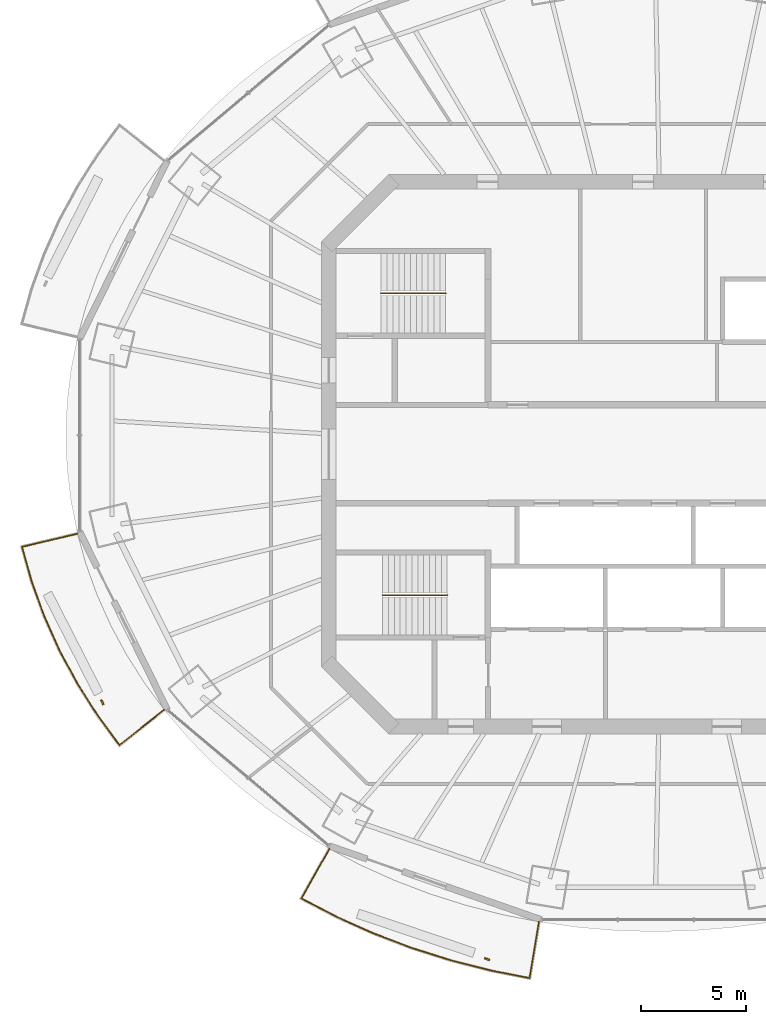
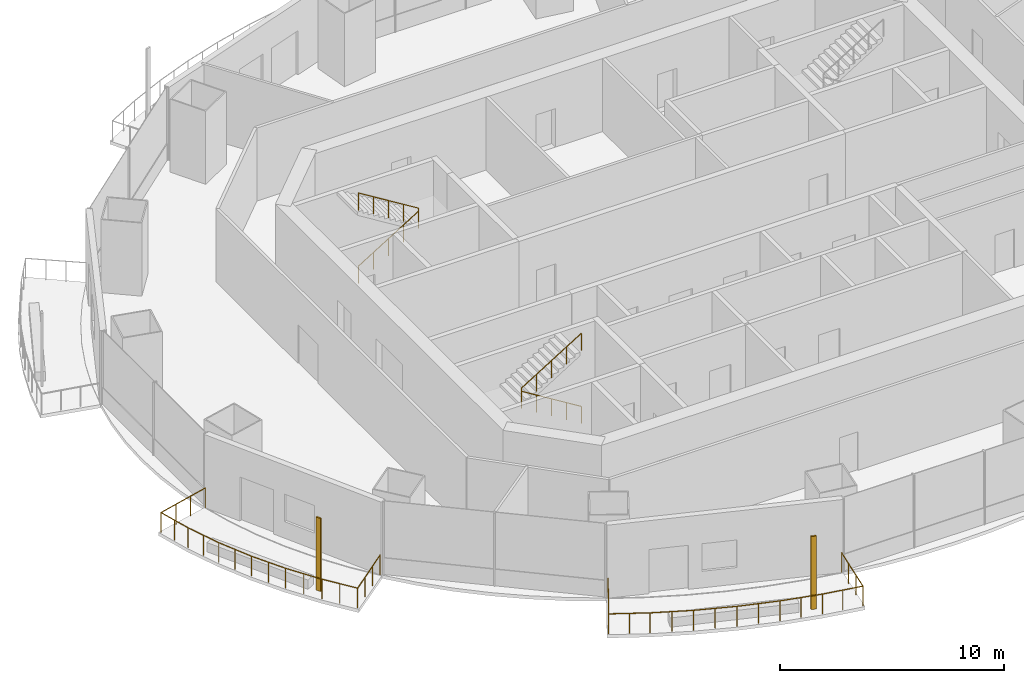
# One storey, part 12 of 16: 4 railings, 2 shading devices.
"""IFC4 building model written with IfcOpenShell, lengths in metres."""

from ifc_helpers import new_model, si_unit, direction, frame, origin, origin_2d, place, context, subcontext, project, spatial, rectangle, circle, extrude, material, material_profile, profile_set, type_object, element, save


model = new_model("IFC4")

# Units and contexts
model_context = context("Model", 3, precision=1e-05, world=origin(), true_north=direction((0.0, 1.0)))
body_context = subcontext(model_context, "Body", "Model", "MODEL_VIEW")
ifc_project = project(units=[si_unit("LENGTHUNIT", "METRE"), si_unit("AREAUNIT", "SQUARE_METRE"), si_unit("VOLUMEUNIT", "CUBIC_METRE"), si_unit("PLANEANGLEUNIT", "RADIAN"), si_unit("MASSUNIT", "GRAM", prefix="KILO")], contexts=[model_context])

# Site, building, storey
site_placement = place(None, origin())
site = spatial("IfcSite", under=ifc_project, at=site_placement, CompositionType="ELEMENT")
building_placement = place(site_placement, origin())
building = spatial("IfcBuilding", under=site, at=building_placement, Name="Marenthal Gate Tower", CompositionType="ELEMENT")
storey_placement = place(building_placement, frame((0.0, 0.0, 309.39990234375)))
storey = spatial("IfcBuildingStorey", under=building, at=storey_placement, Name="L69", CompositionType="ELEMENT", Elevation=309.39990234375)

# Railings
ifc_material_1 = material(Name="Stainless steel", Category="steel")
railing_type_1 = type_object("IfcRailingType", Name="Balcony guard 1100", PredefinedType="GUARDRAIL", material=ifc_material_1)
railing_1_placement = place(storey_placement, frame((-23.85888671875, -12.199951171875, 0.0)))
element("IfcRailing", 1, at=railing_1_placement, inside=storey, type_object=railing_type_1, Name="Balcony guard L69 bay 9", PredefinedType="GUARDRAIL", context=body_context, shape_type="SweptSolid", body=[
    extrude(circle(Radius=0.02392578125, at=origin_2d()), frame((0.0, 0.0, 1.076171875), z_axis=(-0.783370152294, -0.621383312462, -0.014628174456), x_axis=(0.621449806018, -0.783453979886, 0.0)), (0.0, 0.0, 1.0), 2.720458984375),
    extrude(circle(Radius=0.02392578125, at=origin_2d()), frame((-2.131103515625, -1.6904296875, 1.0361328125), z_axis=(-0.592865267426, 0.80530166688, 0.0), x_axis=(-0.80530166688, -0.592865267426, 0.0)), (0.0, 0.0, 1.0), 1.746826171875),
    extrude(circle(Radius=0.02392578125, at=origin_2d()), frame((-3.166748046875, -0.28369140625, 1.0361328125), z_axis=(-0.536204581752, 0.844088056134, 0.0), x_axis=(-0.844088056134, -0.536204581752, 0.0)), (0.0, 0.0, 1.0), 1.8134765625),
    extrude(circle(Radius=0.02392578125, at=origin_2d()), frame((-4.13916015625, 1.2470703125, 1.0361328125), z_axis=(-0.473954337588, 0.880549422736, 0.0), x_axis=(-0.880549422736, -0.473954337588, 0.0)), (0.0, 0.0, 1.0), 1.80126953125),
    extrude(circle(Radius=0.02392578125, at=origin_2d()), frame((-4.992919921875, 2.833251953125, 1.0361328125), z_axis=(-0.408237493427, 0.91287575768, 0.0), x_axis=(-0.91287575768, -0.408237493427, 0.0)), (0.0, 0.0, 1.0), 1.79052734375),
    extrude(circle(Radius=0.02392578125, at=origin_2d()), frame((-5.723876953125, 4.4677734375, 1.0361328125), z_axis=(-0.339078586837, 0.940758051759, 0.0), x_axis=(-0.940758051759, -0.339078586837, 0.0)), (0.0, 0.0, 1.0), 1.78125),
    extrude(circle(Radius=0.02392578125, at=origin_2d()), frame((-6.327880859375, 6.1435546875, 1.0361328125), z_axis=(-0.268699441424, 0.963224070598, 0.0), x_axis=(-0.963224070598, -0.268699441424, 0.0)), (0.0, 0.0, 1.0), 1.693603515625),
    extrude(circle(Radius=0.02392578125, at=origin_2d()), frame((-6.782958984375, 7.77490234375, 1.0361328125), z_axis=(0.973138523141, 0.22975510645, 0.014628938419), x_axis=(-0.229779694864, 0.97324266852, 0.0)), (0.0, 0.0, 1.0), 2.72021484375),
    extrude(circle(Radius=0.02099609375, at=origin_2d()), origin(), (0.0, 0.0, 1.0), 1.052001953125),
    extrude(circle(Radius=0.02099609375, at=origin_2d()), frame((-0.71044921875, -0.5634765625, -0.01318359375)), (0.0, 0.0, 1.0), 1.052001953125),
    extrude(circle(Radius=0.02099609375, at=origin_2d()), frame((-1.420654296875, -1.126953125, -0.026611328125)), (0.0, 0.0, 1.0), 1.052001953125),
    extrude(circle(Radius=0.02099609375, at=origin_2d()), frame((-2.131103515625, -1.6904296875, -0.039794921875)), (0.0, 0.0, 1.0), 1.052001953125),
    extrude(circle(Radius=0.02099609375, at=origin_2d()), frame((-2.64892578125, -0.987060546875, -0.039794921875)), (0.0, 0.0, 1.0), 1.052001953125),
    extrude(circle(Radius=0.02099609375, at=origin_2d()), frame((-3.166748046875, -0.28369140625, -0.039794921875)), (0.0, 0.0, 1.0), 1.052001953125),
    extrude(circle(Radius=0.02099609375, at=origin_2d()), frame((-3.65283203125, 0.481689453125, -0.039794921875)), (0.0, 0.0, 1.0), 1.052001953125),
    extrude(circle(Radius=0.02099609375, at=origin_2d()), frame((-4.13916015625, 1.2470703125, -0.039794921875)), (0.0, 0.0, 1.0), 1.052001953125),
    extrude(circle(Radius=0.02099609375, at=origin_2d()), frame((-4.56591796875, 2.0400390625, -0.039794921875)), (0.0, 0.0, 1.0), 1.052001953125),
    extrude(circle(Radius=0.02099609375, at=origin_2d()), frame((-4.992919921875, 2.833251953125, -0.039794921875)), (0.0, 0.0, 1.0), 1.052001953125),
    extrude(circle(Radius=0.02099609375, at=origin_2d()), frame((-5.3583984375, 3.650390625, -0.039794921875)), (0.0, 0.0, 1.0), 1.052001953125),
    extrude(circle(Radius=0.02099609375, at=origin_2d()), frame((-5.723876953125, 4.4677734375, -0.039794921875)), (0.0, 0.0, 1.0), 1.052001953125),
    extrude(circle(Radius=0.02099609375, at=origin_2d()), frame((-6.02587890625, 5.3056640625, -0.039794921875)), (0.0, 0.0, 1.0), 1.052001953125),
    extrude(circle(Radius=0.02099609375, at=origin_2d()), frame((-6.327880859375, 6.1435546875, -0.039794921875)), (0.0, 0.0, 1.0), 1.052001953125),
    extrude(circle(Radius=0.02099609375, at=origin_2d()), frame((-6.555419921875, 6.959228515625, -0.039794921875)), (0.0, 0.0, 1.0), 1.052001953125),
    extrude(circle(Radius=0.02099609375, at=origin_2d()), frame((-6.782958984375, 7.77490234375, -0.039794921875)), (0.0, 0.0, 1.0), 1.052001953125),
    extrude(circle(Radius=0.02099609375, at=origin_2d()), frame((-5.900634765625, 7.983154296875, -0.026611328125)), (0.0, 0.0, 1.0), 1.052001953125),
    extrude(circle(Radius=0.02099609375, at=origin_2d()), frame((-5.01806640625, 8.191650390625, -0.01318359375)), (0.0, 0.0, 1.0), 1.052001953125),
    extrude(circle(Radius=0.02099609375, at=origin_2d()), frame((-4.1357421875, 8.39990234375, 0.0)), (0.0, 0.0, 1.0), 1.052001953125),
])
railing_2_placement = place(storey_placement, frame((-5.971435546875, -22.323486328125, 0.0)))
element("IfcRailing", 2, at=railing_2_placement, inside=storey, type_object=railing_type_1, Name="Balcony guard L69 bay 11", PredefinedType="GUARDRAIL", context=body_context, shape_type="SweptSolid", body=[
    extrude(circle(Radius=0.02392578125, at=origin_2d()), frame((0.0, 0.0, 1.076171875), z_axis=(-0.165225448315, -0.986147325412, -0.014628869134), x_axis=(0.986252861995, -0.165243130591, 0.0)), (0.0, 0.0, 1.0), 2.72021484375),
    extrude(circle(Radius=0.02392578125, at=origin_2d()), frame((-0.449462890625, -2.6826171875, 1.0361328125), z_axis=(-0.981061826101, 0.193694846002, 0.0), x_axis=(-0.193694846002, -0.981061826101, 0.0)), (0.0, 0.0, 1.0), 1.900634765625),
    extrude(circle(Radius=0.02392578125, at=origin_2d()), frame((-2.314208984375, -2.314453125, 1.0361328125), z_axis=(-0.968929698625, 0.247336287518, 0.0), x_axis=(-0.247336287518, -0.968929698625, 0.0)), (0.0, 0.0, 1.0), 1.97314453125),
    extrude(circle(Radius=0.02392578125, at=origin_2d()), frame((-4.22607421875, -1.826416015625, 1.0361328125), z_axis=(-0.953336263061, 0.301910532331, 0.0), x_axis=(-0.301910532331, -0.953336263061, 0.0)), (0.0, 0.0, 1.0), 1.964111328125),
    extrude(circle(Radius=0.02392578125, at=origin_2d()), frame((-6.0986328125, -1.2333984375, 1.0361328125), z_axis=(-0.93433720277, 0.356390223659, 0.0), x_axis=(-0.356390223659, -0.93433720277, 0.0)), (0.0, 0.0, 1.0), 1.95361328125),
    extrude(circle(Radius=0.02392578125, at=origin_2d()), frame((-7.924072265625, -0.537109375, 1.0361328125), z_axis=(-0.911982656783, 0.4102287578, 0.0), x_axis=(-0.4102287578, -0.911982656783, 0.0)), (0.0, 0.0, 1.0), 1.94189453125),
    extrude(circle(Radius=0.02392578125, at=origin_2d()), frame((-9.695068359375, 0.259521484375, 1.0361328125), z_axis=(-0.88661074156, 0.462516370467, 0.0), x_axis=(-0.462516370467, -0.88661074156, 0.0)), (0.0, 0.0, 1.0), 1.84912109375),
    extrude(circle(Radius=0.02392578125, at=origin_2d()), frame((-11.33447265625, 1.11474609375, 1.0361328125), z_axis=(0.490460154292, 0.87134083038, 0.01462854623), x_axis=(-0.871434076359, 0.490512640571, 0.0)), (0.0, 0.0, 1.0), 2.720458984375),
    extrude(circle(Radius=0.02099609375, at=origin_2d()), origin(), (0.0, 0.0, 1.0), 1.052001953125),
    extrude(circle(Radius=0.02099609375, at=origin_2d()), frame((-0.14990234375, -0.894287109375, -0.01318359375)), (0.0, 0.0, 1.0), 1.052001953125),
    extrude(circle(Radius=0.02099609375, at=origin_2d()), frame((-0.299560546875, -1.788330078125, -0.026611328125)), (0.0, 0.0, 1.0), 1.052001953125),
    extrude(circle(Radius=0.02099609375, at=origin_2d()), frame((-0.449462890625, -2.6826171875, -0.039794921875)), (0.0, 0.0, 1.0), 1.052001953125),
    extrude(circle(Radius=0.02099609375, at=origin_2d()), frame((-1.3818359375, -2.49853515625, -0.039794921875)), (0.0, 0.0, 1.0), 1.052001953125),
    extrude(circle(Radius=0.02099609375, at=origin_2d()), frame((-2.314208984375, -2.314453125, -0.039794921875)), (0.0, 0.0, 1.0), 1.052001953125),
    extrude(circle(Radius=0.02099609375, at=origin_2d()), frame((-3.27001953125, -2.0703125, -0.039794921875)), (0.0, 0.0, 1.0), 1.052001953125),
    extrude(circle(Radius=0.02099609375, at=origin_2d()), frame((-4.22607421875, -1.826416015625, -0.039794921875)), (0.0, 0.0, 1.0), 1.052001953125),
    extrude(circle(Radius=0.02099609375, at=origin_2d()), frame((-5.162353515625, -1.52978515625, -0.039794921875)), (0.0, 0.0, 1.0), 1.052001953125),
    extrude(circle(Radius=0.02099609375, at=origin_2d()), frame((-6.0986328125, -1.2333984375, -0.039794921875)), (0.0, 0.0, 1.0), 1.052001953125),
    extrude(circle(Radius=0.02099609375, at=origin_2d()), frame((-7.01123046875, -0.88525390625, -0.039794921875)), (0.0, 0.0, 1.0), 1.052001953125),
    extrude(circle(Radius=0.02099609375, at=origin_2d()), frame((-7.924072265625, -0.537109375, -0.039794921875)), (0.0, 0.0, 1.0), 1.052001953125),
    extrude(circle(Radius=0.02099609375, at=origin_2d()), frame((-8.8095703125, -0.138671875, -0.039794921875)), (0.0, 0.0, 1.0), 1.052001953125),
    extrude(circle(Radius=0.02099609375, at=origin_2d()), frame((-9.695068359375, 0.259521484375, -0.039794921875)), (0.0, 0.0, 1.0), 1.052001953125),
    extrude(circle(Radius=0.02099609375, at=origin_2d()), frame((-10.5146484375, 0.68701171875, -0.039794921875)), (0.0, 0.0, 1.0), 1.052001953125),
    extrude(circle(Radius=0.02099609375, at=origin_2d()), frame((-11.33447265625, 1.11474609375, -0.039794921875)), (0.0, 0.0, 1.0), 1.052001953125),
    extrude(circle(Radius=0.02099609375, at=origin_2d()), frame((-10.8896484375, 1.90478515625, -0.026611328125)), (0.0, 0.0, 1.0), 1.052001953125),
    extrude(circle(Radius=0.02099609375, at=origin_2d()), frame((-10.445068359375, 2.695068359375, -0.01318359375)), (0.0, 0.0, 1.0), 1.052001953125),
    extrude(circle(Radius=0.02099609375, at=origin_2d()), frame((-10.000244140625, 3.485107421875, 0.0)), (0.0, 0.0, 1.0), 1.052001953125),
])
ifc_material_2 = material(Name="Stainless steel", Category="steel")
railing_type_2 = type_object("IfcRailingType", Name="Stair handrail", PredefinedType="HANDRAIL", material=ifc_material_2)
railing_3_placement = place(storey_placement, frame((-13.5, 7.675048828125, 0.173095703125)))
element("IfcRailing", 3, at=railing_3_placement, inside=storey, type_object=railing_type_2, Name="Handrail ST1", PredefinedType="HANDRAIL", context=body_context, shape_type="SweptSolid", body=[
    extrude(circle(Radius=0.0224609375, at=origin_2d()), frame((0.0, 0.0, 0.927490234375), z_axis=(0.850835241893, 0.0, 0.525432575268), x_axis=(0.0, 1.0, 0.0)), (0.0, 0.0, 1.0), 3.6201171875),
    extrude(circle(Radius=0.0224609375, at=origin_2d()), frame((3.080078125, 0.0, 2.82958984375), z_axis=(0.0, 0.0, 1.0), x_axis=(1.0, 0.0, 0.0)), (0.0, 0.0, 1.0), 0.1728515625),
    extrude(circle(Radius=0.0224609375, at=origin_2d()), frame((3.080078125, 0.0, 3.00244140625), z_axis=(-0.850835241893, 0.0, 0.525432575268), x_axis=(0.0, -1.0, 0.0)), (0.0, 0.0, 1.0), 3.6201171875),
    extrude(circle(Radius=0.02001953125, at=origin_2d()), origin(), (0.0, 0.0, 1.0), 0.905029296875),
    extrude(circle(Radius=0.02001953125, at=origin_2d()), frame((0.77001953125, 0.0, 0.4755859375)), (0.0, 0.0, 1.0), 0.905029296875),
    extrude(circle(Radius=0.02001953125, at=origin_2d()), frame((1.5400390625, 0.0, 0.951171875)), (0.0, 0.0, 1.0), 0.905029296875),
    extrude(circle(Radius=0.02001953125, at=origin_2d()), frame((2.31005859375, 0.0, 1.426513671875)), (0.0, 0.0, 1.0), 0.905029296875),
    extrude(circle(Radius=0.02001953125, at=origin_2d()), frame((3.080078125, 0.0, 1.902099609375)), (0.0, 0.0, 1.0), 0.905029296875),
    extrude(circle(Radius=0.02001953125, at=origin_2d()), frame((3.080078125, 0.0, 2.074951171875)), (0.0, 0.0, 1.0), 0.905029296875),
    extrude(circle(Radius=0.02001953125, at=origin_2d()), frame((2.31005859375, 0.0, 2.550537109375)), (0.0, 0.0, 1.0), 0.905029296875),
    extrude(circle(Radius=0.02001953125, at=origin_2d()), frame((1.5400390625, 0.0, 3.02587890625)), (0.0, 0.0, 1.0), 0.905029296875),
    extrude(circle(Radius=0.02001953125, at=origin_2d()), frame((0.77001953125, 0.0, 3.50146484375)), (0.0, 0.0, 1.0), 0.905029296875),
    extrude(circle(Radius=0.02001953125, at=origin_2d()), frame((0.0, 0.0, 3.97705078125)), (0.0, 0.0, 1.0), 0.905029296875),
])
railing_4_placement = place(storey_placement, frame((-10.35009765625, -6.72509765625, 0.173095703125)))
element("IfcRailing", 4, at=railing_4_placement, inside=storey, type_object=railing_type_2, Name="Handrail ST2", PredefinedType="HANDRAIL", context=body_context, shape_type="SweptSolid", body=[
    extrude(circle(Radius=0.0224609375, at=origin_2d()), frame((0.0, 0.0, 0.927490234375), z_axis=(-0.850816621229, 0.0, 0.525462726595), x_axis=(0.0, -1.0, 0.0)), (0.0, 0.0, 1.0), 3.619873046875),
    extrude(circle(Radius=0.0224609375, at=origin_2d()), frame((-3.079833984375, 0.0, 2.82958984375), z_axis=(0.0, 0.0, 1.0), x_axis=(1.0, 0.0, 0.0)), (0.0, 0.0, 1.0), 0.1728515625),
    extrude(circle(Radius=0.0224609375, at=origin_2d()), frame((-3.079833984375, 0.0, 3.00244140625), z_axis=(0.850816621229, 0.0, 0.525462726595), x_axis=(0.0, 1.0, 0.0)), (0.0, 0.0, 1.0), 3.619873046875),
    extrude(circle(Radius=0.02001953125, at=origin_2d()), origin(), (0.0, 0.0, 1.0), 0.905029296875),
    extrude(circle(Radius=0.02001953125, at=origin_2d()), frame((-0.77001953125, 0.0, 0.4755859375)), (0.0, 0.0, 1.0), 0.905029296875),
    extrude(circle(Radius=0.02001953125, at=origin_2d()), frame((-1.5400390625, 0.0, 0.951171875)), (0.0, 0.0, 1.0), 0.905029296875),
    extrude(circle(Radius=0.02001953125, at=origin_2d()), frame((-2.309814453125, 0.0, 1.426513671875)), (0.0, 0.0, 1.0), 0.905029296875),
    extrude(circle(Radius=0.02001953125, at=origin_2d()), frame((-3.079833984375, 0.0, 1.902099609375)), (0.0, 0.0, 1.0), 0.905029296875),
    extrude(circle(Radius=0.02001953125, at=origin_2d()), frame((-3.079833984375, 0.0, 2.074951171875)), (0.0, 0.0, 1.0), 0.905029296875),
    extrude(circle(Radius=0.02001953125, at=origin_2d()), frame((-2.309814453125, 0.0, 2.550537109375)), (0.0, 0.0, 1.0), 0.905029296875),
    extrude(circle(Radius=0.02001953125, at=origin_2d()), frame((-1.5400390625, 0.0, 3.02587890625)), (0.0, 0.0, 1.0), 0.905029296875),
    extrude(circle(Radius=0.02001953125, at=origin_2d()), frame((-0.77001953125, 0.0, 3.50146484375)), (0.0, 0.0, 1.0), 0.905029296875),
    extrude(circle(Radius=0.02001953125, at=origin_2d()), frame((0.0, 0.0, 3.97705078125)), (0.0, 0.0, 1.0), 0.905029296875),
])

# Shading devices
ifc_material_3 = material(Name="Terracotta", Category="masonry")
ifc_material_profile = material_profile(ifc_material_3, rectangle(XDim=0.25, YDim=0.080078125, at=origin_2d()), Name="Terracotta baguette 250x80")
ifc_profile_set = profile_set([ifc_material_profile], Name="Terracotta")
shading_device_type = type_object("IfcShadingDeviceType", Name="Terracotta BAGUETTE SCREEN 250x80", PredefinedType="USERDEFINED", material=ifc_profile_set)
for number, where, z_axis, x_axis, name in (
    (5, (-26.809814453125, -11.8447265625, -0.039794921875), (0.0, 0.0, 1.0), (0.441517596382, -0.897252591016, 0.0), "Terracotta BAGUETTE L69 bay 9R"),
    (6, (-8.440185546875, -24.097900390625, -0.039794921875), (0.0, 0.0, 1.0), (0.944249095616, -0.329231902203, 0.0), "Terracotta BAGUETTE L69 bay 11R"),
):
    element("IfcShadingDevice", number, at=place(storey_placement, frame(where, z_axis=z_axis, x_axis=x_axis)), inside=storey, type_object=shading_device_type, Name=name, ObjectType="BAGUETTE SCREEN", PredefinedType="USERDEFINED", context=body_context, shape_type="SweptSolid", body=[
        extrude(rectangle(XDim=0.25, YDim=0.080078125, at=origin_2d()), origin(), (0.0, 0.0, 1.0), 3.969970703125),
    ])

save(model, "model.ifc")
